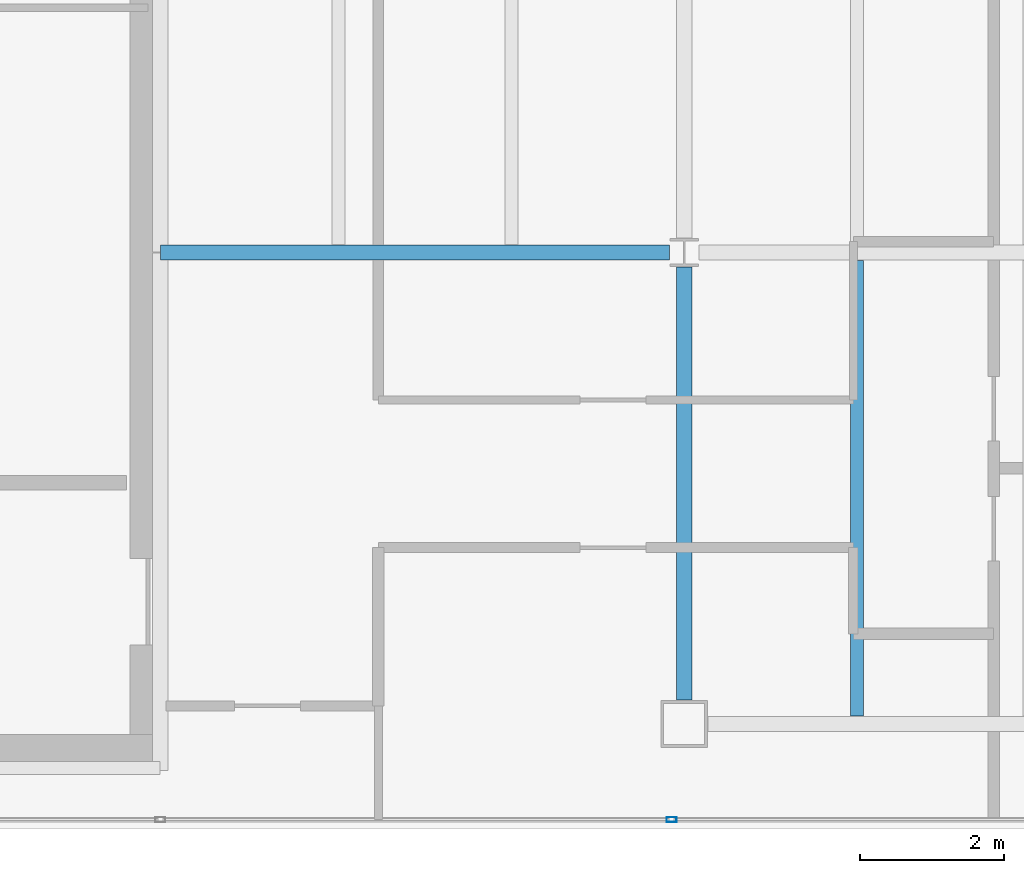
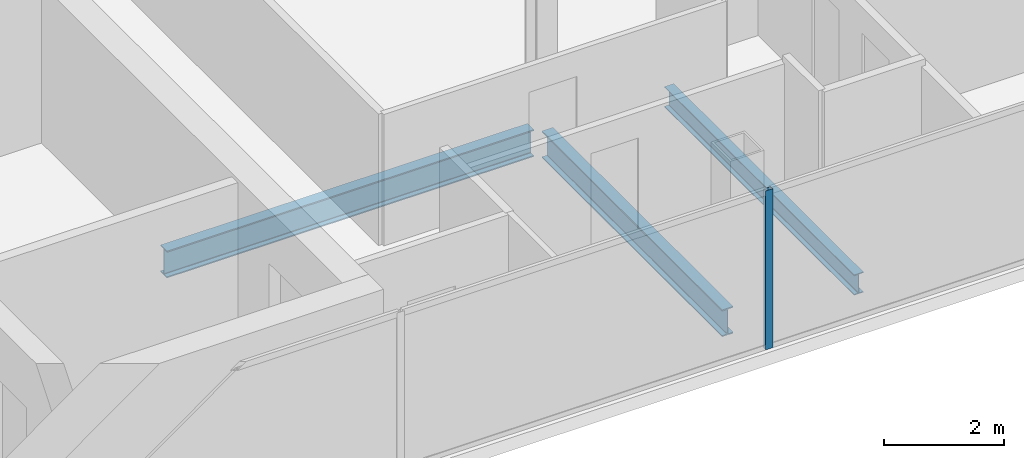
# One storey, part 5 of 24: 3 beams, 1 member, 1 element without a shape of its own.
"""IFC4 building model written with IfcOpenShell, lengths in metres."""

from ifc_helpers import new_model, si_unit, direction, frame, origin, origin_2d, place, context, subcontext, project, spatial, hollow_rectangle, i_section, extrude, material, material_profile, profile_set, type_object, element, aggregate, save


model = new_model("IFC4")

# Units and contexts
model_context = context("Model", 3, precision=1e-05, world=origin(), true_north=direction((0.0, 1.0)))
body_context = subcontext(model_context, "Body", "Model", "MODEL_VIEW")
ifc_project = project(units=[si_unit("LENGTHUNIT", "METRE"), si_unit("AREAUNIT", "SQUARE_METRE"), si_unit("VOLUMEUNIT", "CUBIC_METRE"), si_unit("PLANEANGLEUNIT", "RADIAN"), si_unit("MASSUNIT", "GRAM", prefix="KILO")], contexts=[model_context])

# Site, building, storey
site_placement = place(None, origin())
site = spatial("IfcSite", under=ifc_project, at=site_placement, CompositionType="ELEMENT")
building_placement = place(site_placement, origin())
building = spatial("IfcBuilding", under=site, at=building_placement, Name="Cobrela Telecom Tower", CompositionType="ELEMENT")
storey_placement = place(building_placement, frame((0.0, 0.0, 244.64990234375)))
storey = spatial("IfcBuildingStorey", under=building, at=storey_placement, Name="L63", CompositionType="ELEMENT", Elevation=244.64990234375)

# Beams
ifc_material_1 = material(Name="Steel ASTM A992 Grade 50", Category="steel")
ifc_material_profile_1 = material_profile(ifc_material_1, i_section(OverallWidth=0.212890625, OverallDepth=0.549072265625, WebThickness=0.0146484375, FlangeThickness=0.023681640625, FilletRadius=0.013916015625, at=origin_2d()), Name="W21X93")
ifc_profile_set_1 = profile_set([ifc_material_profile_1], Name="Steel ASTM A992 Grade 50")
beam_type_1 = type_object("IfcBeamType", Name="BM-GIRD-08", PredefinedType="USERDEFINED", material=ifc_profile_set_1)
beam_1_placement = place(storey_placement, frame((14.324951171875, 14.39990234375, -0.534423828125), z_axis=(1.0, 0.0, 0.0), x_axis=(0.0, 1.0, 0.0)))
element("IfcBeam", 1, at=beam_1_placement, inside=storey, type_object=beam_type_1, Name="L63 Primary Girder X05", ObjectType="GIRDER", PredefinedType="USERDEFINED", context=body_context, shape_type="SweptSolid", body=[
    extrude(i_section(OverallWidth=0.212890625, OverallDepth=0.549072265625, WebThickness=0.0146484375, FlangeThickness=0.023681640625, FilletRadius=0.013916015625, at=origin_2d()), origin(), (0.0, 0.0, 1.0), 7.070556640625),
])
beam_2_placement = place(storey_placement, frame((21.60009765625, 8.179931640625, -0.534423828125), z_axis=(0.0, 1.0, 0.0), x_axis=(-1.0, 0.0, 0.0)))
element("IfcBeam", 2, at=beam_2_placement, inside=storey, type_object=beam_type_1, Name="L63 Primary Girder Y27", ObjectType="GIRDER", PredefinedType="USERDEFINED", context=body_context, shape_type="SweptSolid", body=[
    extrude(i_section(OverallWidth=0.212890625, OverallDepth=0.549072265625, WebThickness=0.0146484375, FlangeThickness=0.023681640625, FilletRadius=0.013916015625, at=origin_2d()), origin(), (0.0, 0.0, 1.0), 6.015625),
])
ifc_material_profile_2 = material_profile(ifc_material_1, i_section(OverallWidth=0.179931640625, OverallDepth=0.4169921875, WebThickness=0.010986328125, FlangeThickness=0.01806640625, FilletRadius=0.011962890625, at=origin_2d()), Name="W16X57")
ifc_profile_set_2 = profile_set([ifc_material_profile_2], Name="Steel ASTM A992 Grade 50")
beam_type_2 = type_object("IfcBeamType", Name="BM-JOIST-04", PredefinedType="JOIST", material=ifc_profile_set_2)
beam_3_placement = place(storey_placement, frame((24.0, 7.96142578125, -0.468505859375), z_axis=(0.0, 1.0, 0.0), x_axis=(-1.0, 0.0, 0.0)))
element("IfcBeam", 3, at=beam_3_placement, inside=storey, type_object=beam_type_2, Name="L63 Secondary Composite Floor Beam J07", PredefinedType="JOIST", context=body_context, shape_type="SweptSolid", body=[
    extrude(i_section(OverallWidth=0.179931640625, OverallDepth=0.4169921875, WebThickness=0.010986328125, FlangeThickness=0.01806640625, FilletRadius=0.011962890625, at=origin_2d()), origin(), (0.0, 0.0, 1.0), 6.3271484375),
])

# Curtain wall, member
ifc_material_2 = material(Name="Anodized Bronze Aluminium 6063-T6", Category="aluminium")
curtain_wall_type = type_object("IfcCurtainWallType", Name="CW-SYS-OFF-HI", PredefinedType="USERDEFINED", material=ifc_material_2)
curtain_wall_placement = place(storey_placement, origin())
curtain_wall = element("IfcCurtainWall", 4, at=curtain_wall_placement, inside=storey, type_object=curtain_wall_type, Name="L63 Unitised Bronze Curtain Wall 15", ObjectType="UNITISED CURTAIN WALL", PredefinedType="USERDEFINED")
ifc_material_profile_3 = material_profile(ifc_material_2, hollow_rectangle(XDim=0.070068359375, YDim=0.139892578125, WallThickness=0.00390625, at=origin_2d()), Name="ALU 70x140x4")
ifc_profile_set_3 = profile_set([ifc_material_profile_3], Name="Anodized Bronze Aluminium 6063-T6")
member_type = type_object("IfcMemberType", Name="CW-SYS-OFF-HI-MUL", PredefinedType="MULLION", material=ifc_profile_set_3)
member_placement = place(storey_placement, frame((21.425048828125, 6.52001953125, 0.0), z_axis=(0.0, 0.0, 1.0), x_axis=(0.0, -1.0, 0.0)))
member = element("IfcMember", 5, at=member_placement, type_object=member_type, Name="CW-OFF-HI mullion 4", PredefinedType="MULLION", context=body_context, shape_type="SweptSolid", body=[
    extrude(hollow_rectangle(XDim=0.070068359375, YDim=0.139892578125, WallThickness=0.00390625, at=origin_2d()), origin(), (0.0, 0.0, 1.0), 3.239990234375),
])
aggregate(curtain_wall, [member])

save(model, "model.ifc")
